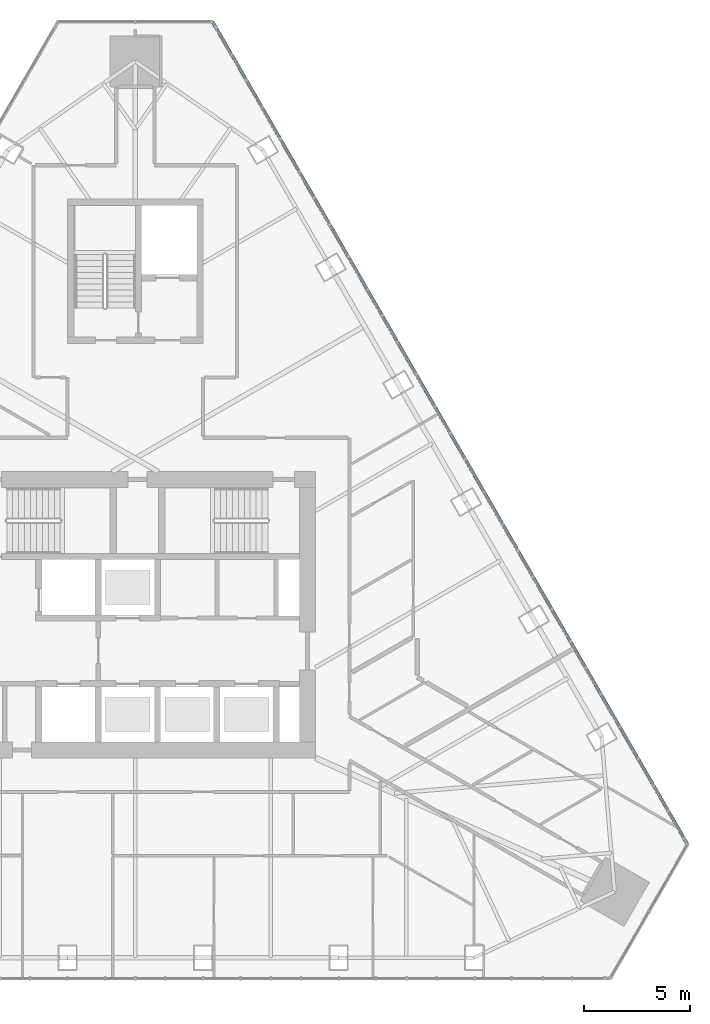
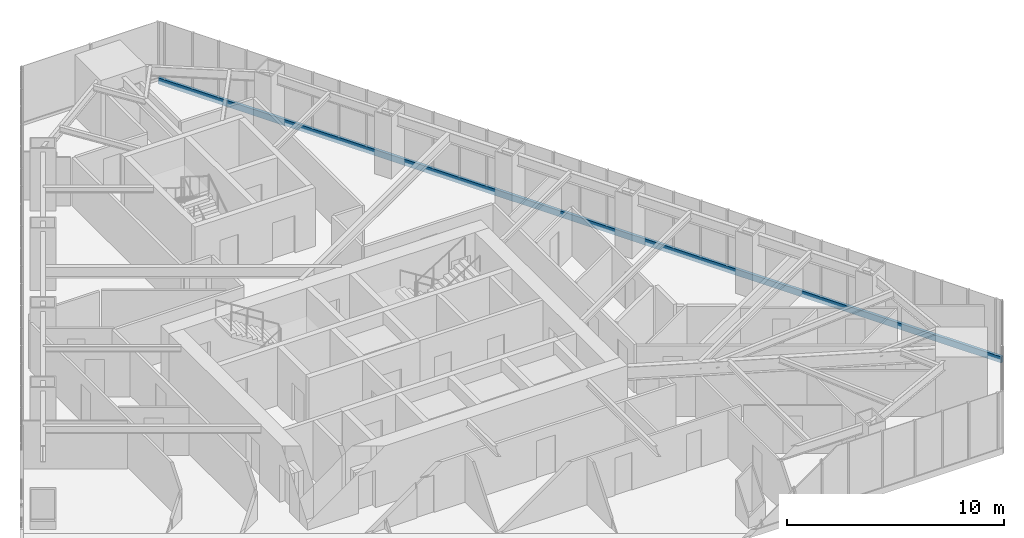
# One storey, part 9 of 21: 1 member, 1 element without a shape of its own.
"""IFC4 building model written with IfcOpenShell, lengths in metres."""

from ifc_helpers import new_model, si_unit, direction, frame, origin, origin_2d, place, context, subcontext, project, spatial, rectangle, extrude, material, layer, layer_set, material_profile, profile_set, type_object, element, aggregate, save


model = new_model("IFC4")

# Units and contexts
model_context = context("Model", 3, precision=1e-05, world=origin(), true_north=direction((0.0, 1.0)))
body_context = subcontext(model_context, "Body", "Model", "MODEL_VIEW")
ifc_project = project(units=[si_unit("LENGTHUNIT", "METRE"), si_unit("AREAUNIT", "SQUARE_METRE"), si_unit("VOLUMEUNIT", "CUBIC_METRE"), si_unit("PLANEANGLEUNIT", "RADIAN"), si_unit("MASSUNIT", "GRAM", prefix="KILO")], contexts=[model_context])

# Site, building, storey
site_placement = place(None, origin())
site = spatial("IfcSite", under=ifc_project, at=site_placement, CompositionType="ELEMENT")
building_placement = place(site_placement, origin())
building = spatial("IfcBuilding", under=site, at=building_placement, Name="Firuza Gate Tower and Library", CompositionType="ELEMENT")
storey_placement = place(building_placement, frame((0.0, 0.0, 284.60009765625)))
storey = spatial("IfcBuildingStorey", under=building, at=storey_placement, Name="L68", CompositionType="ELEMENT", Elevation=284.60009765625)

# Curtain wall, member
ifc_material_1 = material(Name="Aluminium 6063-T6", Category="aluminium")
ifc_layer = layer(ifc_material_1, 0.14990234375)
ifc_layer_set = layer_set([ifc_layer], Name="Unitised curtain wall, residences")
curtain_wall_type = type_object("IfcCurtainWallType", Name="Unitised curtain wall, residences", PredefinedType="NOTDEFINED", material=ifc_layer_set)
curtain_wall_placement = place(storey_placement, origin())
curtain_wall = element("IfcCurtainWall", 1, at=curtain_wall_placement, inside=storey, type_object=curtain_wall_type, Name="CW3 L68 E face", PredefinedType="NOTDEFINED")
ifc_material_2 = material(Name="Aluminium 6063-T6", Category="aluminium")
ifc_material_profile = material_profile(ifc_material_2, rectangle(XDim=0.14990234375, YDim=0.35009765625, at=origin_2d()))
ifc_profile_set = profile_set([ifc_material_profile], Name="Aluminium 6063-T6")
member_type = type_object("IfcMemberType", Name="Curtain wall transom 350x150", PredefinedType="USERDEFINED", material=ifc_profile_set)
member_placement = place(storey_placement, frame((101.04931640625, 64.16748046875, -0.025146484375), z_axis=(-0.500002271502, 0.866024092328, 0.0), x_axis=(-0.866024092328, -0.500002271502, 0.0)))
member = element("IfcMember", 2, at=member_placement, type_object=member_type, Name="Transom", ObjectType="TRANSOM", PredefinedType="USERDEFINED", context=body_context, shape_type="SweptSolid", body=[
    extrude(rectangle(XDim=0.14990234375, YDim=0.35009765625, at=origin_2d()), origin(), (0.0, 0.0, 1.0), 44.811767578125),
])
aggregate(curtain_wall, [member])

save(model, "model.ifc")
